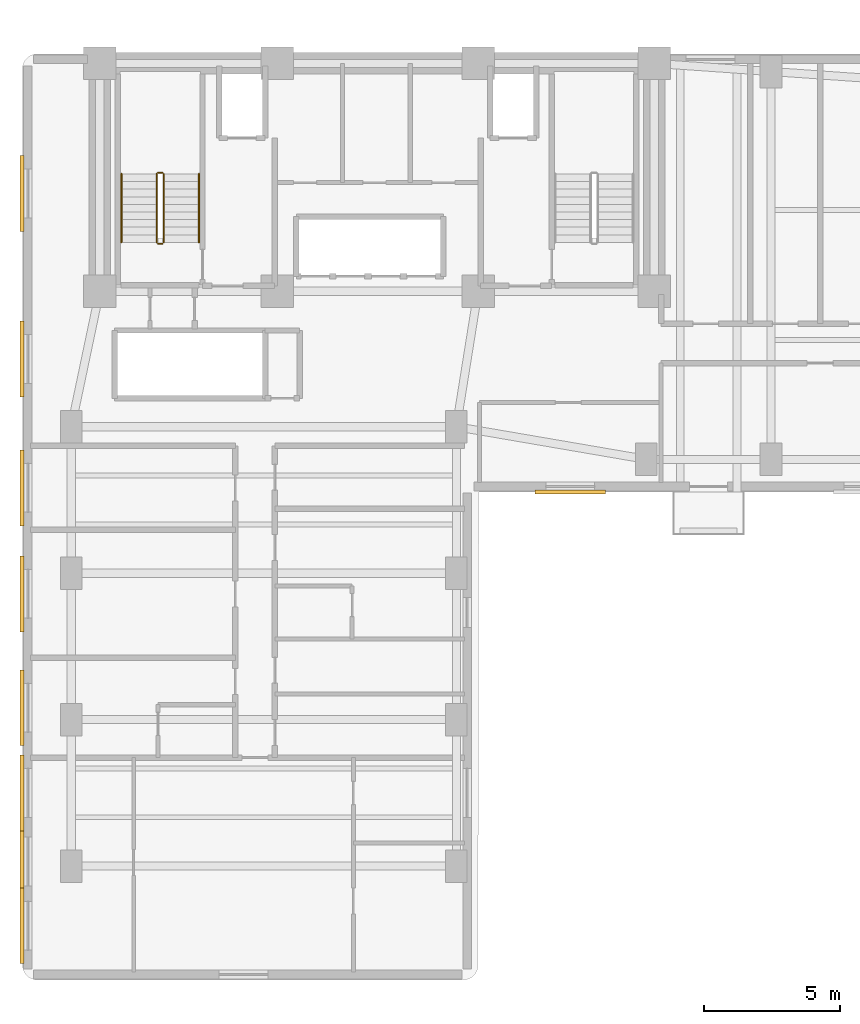
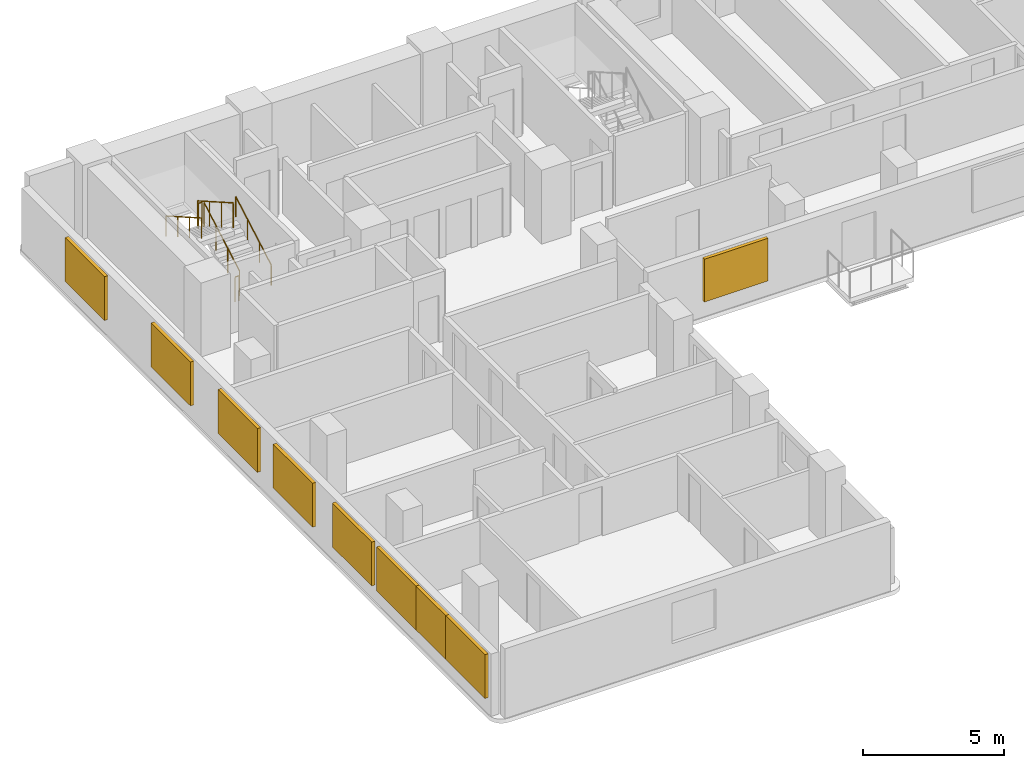
# One storey, part 8 of 10: 9 shading devices, 6 railings.
"""IFC4 building model written with IfcOpenShell, lengths in metres."""

from ifc_helpers import new_model, si_unit, direction, frame, origin, origin_2d, place, context, subcontext, project, spatial, rectangle, circle, extrude, material, layer, layer_set, type_object, element, save


model = new_model("IFC4")

# Units and contexts
model_context = context("Model", 3, precision=1e-05, world=origin(), true_north=direction((0.0, 1.0)))
body_context = subcontext(model_context, "Body", "Model", "MODEL_VIEW")
ifc_project = project(units=[si_unit("LENGTHUNIT", "METRE"), si_unit("AREAUNIT", "SQUARE_METRE"), si_unit("VOLUMEUNIT", "CUBIC_METRE"), si_unit("PLANEANGLEUNIT", "RADIAN"), si_unit("MASSUNIT", "GRAM", prefix="KILO")], contexts=[model_context])

# Site, building, storey
site_placement = place(None, origin())
site = spatial("IfcSite", under=ifc_project, at=site_placement, CompositionType="ELEMENT")
building_placement = place(site_placement, origin())
building = spatial("IfcBuilding", under=site, at=building_placement, Name="Kuzgunbayir Cultural Tower", CompositionType="ELEMENT")
storey_placement = place(building_placement, frame((0.0, 0.0, 93.0)))
storey = spatial("IfcBuildingStorey", under=building, at=storey_placement, Name="L26", CompositionType="ELEMENT", Elevation=93.0)

# Railings
ifc_material_1 = material(Name="Brushed Stainless Steel", Category="steel")
ifc_layer_1 = layer(ifc_material_1, 0.050048828125)
ifc_layer_set_1 = layer_set([ifc_layer_1], Name="Brushed Stainless Steel")
railing_type_1 = type_object("IfcRailingType", Name="RLG-STAIR-HANDRAIL", PredefinedType="HANDRAIL", material=ifc_layer_set_1)
railing_1_placement = place(storey_placement, frame((10.110107421875, 35.60009765625, 0.159912109375)))
element("IfcRailing", 1, at=railing_1_placement, inside=storey, type_object=railing_type_1, Name="L26 ST-1 stair handrail 1", PredefinedType="HANDRAIL", context=body_context, shape_type="SweptSolid", body=[
    extrude(circle(Radius=0.02392578125, at=origin_2d()), frame((0.0, 0.0, 0.8759765625), z_axis=(0.0, 0.868217259934, 0.496184229447), x_axis=(-1.0, 0.0, 0.0)), (0.0, 0.0, 1.0), 2.902587890625),
    extrude(circle(Radius=0.02099609375, at=origin_2d()), origin(), (0.0, 0.0, 1.0), 0.851806640625),
    extrude(circle(Radius=0.02099609375, at=origin_2d()), frame((0.0, 0.840087890625, 0.47998046875)), (0.0, 0.0, 1.0), 0.851806640625),
    extrude(circle(Radius=0.02099609375, at=origin_2d()), frame((0.0, 1.679931640625, 0.960205078125)), (0.0, 0.0, 1.0), 0.851806640625),
    extrude(circle(Radius=0.02099609375, at=origin_2d()), frame((0.0, 2.52001953125, 1.440185546875)), (0.0, 0.0, 1.0), 0.851806640625),
])
railing_2_placement = place(storey_placement, frame((7.25, 38.1201171875, 1.760009765625)))
element("IfcRailing", 2, at=railing_2_placement, inside=storey, type_object=railing_type_1, Name="L26 ST-1 stair handrail 2", PredefinedType="HANDRAIL", context=body_context, shape_type="SweptSolid", body=[
    extrude(circle(Radius=0.02392578125, at=origin_2d()), frame((0.0, 0.0, 0.8759765625), z_axis=(0.0, -0.868253494771, 0.496120820787), x_axis=(1.0, 0.0, 0.0)), (0.0, 0.0, 1.0), 2.90234375),
    extrude(circle(Radius=0.02099609375, at=origin_2d()), origin(), (0.0, 0.0, 1.0), 0.851806640625),
    extrude(circle(Radius=0.02099609375, at=origin_2d()), frame((0.0, -0.840087890625, 0.47998046875)), (0.0, 0.0, 1.0), 0.851806640625),
    extrude(circle(Radius=0.02099609375, at=origin_2d()), frame((0.0, -1.679931640625, 0.9599609375)), (0.0, 0.0, 1.0), 0.851806640625),
    extrude(circle(Radius=0.02099609375, at=origin_2d()), frame((0.0, -2.52001953125, 1.43994140625)), (0.0, 0.0, 1.0), 0.851806640625),
])
ifc_material_2 = material(Name="Painted Steel Balustrade", Category="steel")
ifc_layer_2 = layer(ifc_material_2, 0.06005859375)
ifc_layer_set_2 = layer_set([ifc_layer_2], Name="Painted Steel Balustrade")
railing_type_2 = type_object("IfcRailingType", Name="RLG-WELL-GUARD", PredefinedType="GUARDRAIL", material=ifc_layer_set_2)
railing_3_placement = place(storey_placement, frame((8.81005859375, 35.60009765625, 0.159912109375)))
element("IfcRailing", 3, at=railing_3_placement, inside=storey, type_object=railing_type_2, Name="L26 ST-1 stair guard 1", PredefinedType="GUARDRAIL", context=body_context, shape_type="SweptSolid", body=[
    extrude(circle(Radius=0.02392578125, at=origin_2d()), frame((0.0, 0.0, 1.076171875), z_axis=(0.0, 0.868217259934, 0.496184229447), x_axis=(-1.0, 0.0, 0.0)), (0.0, 0.0, 1.0), 2.902587890625),
    extrude(circle(Radius=0.02099609375, at=origin_2d()), origin(), (0.0, 0.0, 1.0), 1.052001953125),
    extrude(circle(Radius=0.02099609375, at=origin_2d()), frame((0.0, 0.840087890625, 0.47998046875)), (0.0, 0.0, 1.0), 1.052001953125),
    extrude(circle(Radius=0.02099609375, at=origin_2d()), frame((0.0, 1.679931640625, 0.960205078125)), (0.0, 0.0, 1.0), 1.052001953125),
    extrude(circle(Radius=0.02099609375, at=origin_2d()), frame((0.0, 2.52001953125, 1.440185546875)), (0.0, 0.0, 1.0), 1.052001953125),
])
railing_4_placement = place(storey_placement, frame((8.760009765625, 38.169921875, 1.60009765625)))
element("IfcRailing", 4, at=railing_4_placement, inside=storey, type_object=railing_type_2, Name="L26 ST-1 stair guard 2", PredefinedType="GUARDRAIL", context=body_context, shape_type="SweptSolid", body=[
    extrude(circle(Radius=0.02392578125, at=origin_2d()), frame((0.0, 0.0, 1.076171875), z_axis=(-1.0, 0.0, 0.0), x_axis=(0.0, -1.0, 0.0)), (0.0, 0.0, 1.0), 0.159912109375),
    extrude(circle(Radius=0.02099609375, at=origin_2d()), origin(), (0.0, 0.0, 1.0), 1.052001953125),
    extrude(circle(Radius=0.02099609375, at=origin_2d()), frame((-0.159912109375, 0.0, 0.0)), (0.0, 0.0, 1.0), 1.052001953125),
])
railing_5_placement = place(storey_placement, frame((8.550048828125, 38.1201171875, 1.760009765625)))
element("IfcRailing", 5, at=railing_5_placement, inside=storey, type_object=railing_type_2, Name="L26 ST-1 stair guard 3", PredefinedType="GUARDRAIL", context=body_context, shape_type="SweptSolid", body=[
    extrude(circle(Radius=0.02392578125, at=origin_2d()), frame((0.0, 0.0, 1.076171875), z_axis=(0.0, -0.868253494771, 0.496120820787), x_axis=(1.0, 0.0, 0.0)), (0.0, 0.0, 1.0), 2.90234375),
    extrude(circle(Radius=0.02099609375, at=origin_2d()), origin(), (0.0, 0.0, 1.0), 1.052001953125),
    extrude(circle(Radius=0.02099609375, at=origin_2d()), frame((0.0, -0.840087890625, 0.47998046875)), (0.0, 0.0, 1.0), 1.052001953125),
    extrude(circle(Radius=0.02099609375, at=origin_2d()), frame((0.0, -1.679931640625, 0.9599609375)), (0.0, 0.0, 1.0), 1.052001953125),
    extrude(circle(Radius=0.02099609375, at=origin_2d()), frame((0.0, -2.52001953125, 1.43994140625)), (0.0, 0.0, 1.0), 1.052001953125),
])
railing_6_placement = place(storey_placement, frame((8.760009765625, 35.550048828125, 0.0)))
element("IfcRailing", 6, at=railing_6_placement, inside=storey, type_object=railing_type_2, Name="L26 ST-1 stair guard 4", PredefinedType="GUARDRAIL", context=body_context, shape_type="SweptSolid", body=[
    extrude(circle(Radius=0.02392578125, at=origin_2d()), frame((0.0, 0.0, 1.076171875), z_axis=(-1.0, 0.0, 0.0), x_axis=(0.0, -1.0, 0.0)), (0.0, 0.0, 1.0), 0.159912109375),
    extrude(circle(Radius=0.02099609375, at=origin_2d()), origin(), (0.0, 0.0, 1.0), 1.052001953125),
    extrude(circle(Radius=0.02099609375, at=origin_2d()), frame((-0.159912109375, 0.0, 0.0)), (0.0, 0.0, 1.0), 1.052001953125),
])

# Shading devices
ifc_material_3 = material(Name="Perforated Bronze-Anodised Aluminium", Category="aluminium")
shading_device_type = type_object("IfcShadingDeviceType", Name="SHD-SOLAR-BRONZE", PredefinedType="JALOUSIE", material=ifc_material_3)
shading_device_placement = place(storey_placement, frame((23.800048828125, 26.389892578125, 0.724853515625), z_axis=(0.0, 0.0, 1.0), x_axis=(1.0, 0.0, 0.0)))
element("IfcShadingDevice", 7, at=shading_device_placement, inside=storey, type_object=shading_device_type, Name="L26 Solar Screen WBS1", PredefinedType="JALOUSIE", context=body_context, shape_type="SweptSolid", body=[
    extrude(rectangle(XDim=2.60009765625, YDim=0.139892578125, at=origin_2d()), origin(), (0.0, 0.0, 1.0), 1.85009765625),
])
for number, where, z_axis, x_axis, name in (
    (8, (3.580078125, 18.43994140625, 0.699951171875), (0.0, 0.0, 1.0), (1.0, 0.0, 0.0), "L26 Perforated Bronze Solar Screen WAW2"),
    (9, (3.580078125, 22.639892578125, 0.699951171875), (0.0, 0.0, 1.0), (1.0, 0.0, 0.0), "L26 Perforated Bronze Solar Screen WAW3"),
    (10, (3.580078125, 26.550048828125, 0.699951171875), (0.0, 0.0, 1.0), (1.0, 0.0, 0.0), "L26 Perforated Bronze Solar Screen WAW4"),
    (11, (3.580078125, 12.77001953125, 0.699951171875), (0.0, 0.0, 1.0), (1.0, 0.0, 0.0), "L26 Perforated Bronze Solar Screen WAW5"),
    (12, (3.580078125, 10.39990234375, 0.699951171875), (0.0, 0.0, 1.0), (1.0, 0.0, 0.0), "L26 Perforated Bronze Solar Screen WAW11"),
    (13, (3.580078125, 15.300048828125, 0.699951171875), (0.0, 0.0, 1.0), (1.0, 0.0, 0.0), "L26 Perforated Bronze Solar Screen WAW12"),
    (14, (3.580078125, 31.300048828125, 0.699951171875), (0.0, 0.0, 1.0), (1.0, 0.0, 0.0), "L26 Perforated Bronze Solar Screen WAW13"),
    (15, (3.580078125, 37.39990234375, 0.699951171875), (0.0, 0.0, 1.0), (1.0, 0.0, 0.0), "L26 Perforated Bronze Solar Screen WAW14"),
):
    element("IfcShadingDevice", number, at=place(storey_placement, frame(where, z_axis=z_axis, x_axis=x_axis)), inside=storey, type_object=shading_device_type, Name=name, PredefinedType="JALOUSIE", context=body_context, shape_type="SweptSolid", body=[
        extrude(rectangle(XDim=0.139892578125, YDim=2.800048828125, at=origin_2d()), origin(), (0.0, 0.0, 1.0), 1.89990234375),
    ])

save(model, "model.ifc")
